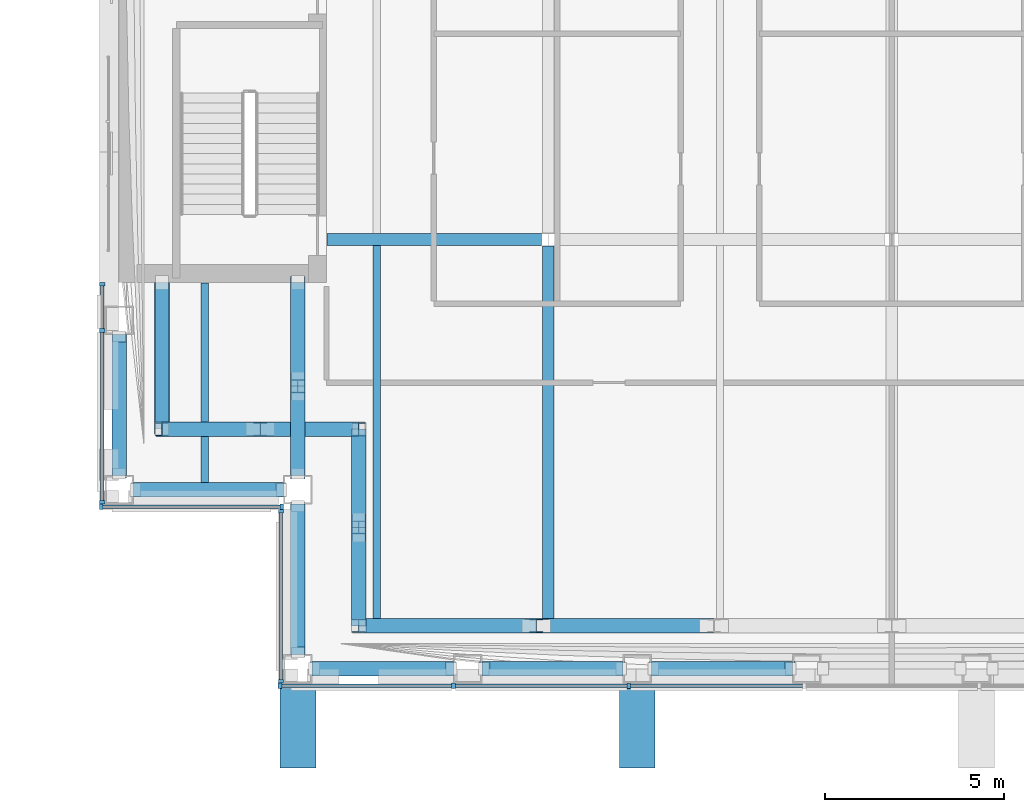
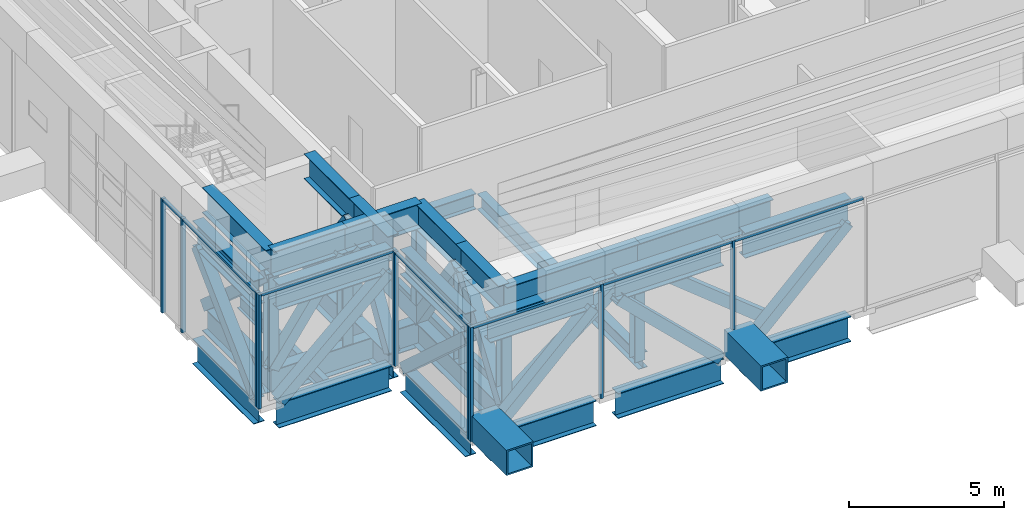
# One storey, part 3 of 29: 64 members, 7 beams, 4 elements without a shape of their own.
"""IFC4 building model written with IfcOpenShell, lengths in metres."""

from ifc_helpers import new_model, si_unit, direction, frame, origin, origin_2d, place, context, subcontext, project, spatial, rectangle, hollow_rectangle, i_section, extrude, material, material_profile, profile_set, type_object, element, aggregate, save


model = new_model("IFC4")

# Units and contexts
model_context = context("Model", 3, precision=1e-05, world=origin(), true_north=direction((0.0, 1.0)))
body_context = subcontext(model_context, "Body", "Model", "MODEL_VIEW")
ifc_project = project(units=[si_unit("LENGTHUNIT", "METRE"), si_unit("AREAUNIT", "SQUARE_METRE"), si_unit("VOLUMEUNIT", "CUBIC_METRE"), si_unit("PLANEANGLEUNIT", "RADIAN"), si_unit("MASSUNIT", "GRAM", prefix="KILO")], contexts=[model_context])

# Site, building, storey
site_placement = place(None, origin())
site = spatial("IfcSite", under=ifc_project, at=site_placement, CompositionType="ELEMENT")
building_placement = place(site_placement, origin())
building = spatial("IfcBuilding", under=site, at=building_placement, Name="Cobrizo Arcos Hotel Tower", CompositionType="ELEMENT")
storey_placement = place(building_placement, frame((0.0, 0.0, 186.5)))
storey = spatial("IfcBuildingStorey", under=building, at=storey_placement, Name="L48", CompositionType="ELEMENT", Elevation=186.5)

# Beams
ifc_material_1 = material(Name="Steel ASTM A572 Grade 50", Category="steel")
ifc_material_profile_1 = material_profile(ifc_material_1, hollow_rectangle(XDim=1.0, YDim=1.0, WallThickness=0.06005859375, at=origin_2d()), Name="BOX 1000X1000X60")
ifc_profile_set_1 = profile_set([ifc_material_profile_1], Name="Steel ASTM A572 Grade 50")
beam_type_1 = type_object("IfcBeamType", Name="BOX 1000X1000X60 brace connector strut", PredefinedType="BEAM", material=ifc_profile_set_1)
for number, where, z_axis, x_axis, name in (
    (1, (-7.1142578125, -21.989990234375, 0.5), (0.0, -1.0, 0.0), (1.0, 0.0, 0.0), "Perimeter brace stub BS1, zone Z3, south face, offset -7.11 m, L48"),
    (2, (-16.60009765625, -21.989990234375, 0.5), (0.0, -1.0, 0.0), (1.0, 0.0, 0.0), "Perimeter brace stub BS1, zone Z3, south face, offset -16.60 m, L48"),
):
    element("IfcBeam", number, at=place(storey_placement, frame(where, z_axis=z_axis, x_axis=x_axis)), inside=storey, type_object=beam_type_1, Name=name, PredefinedType="BEAM", context=body_context, shape_type="SweptSolid", body=[
        extrude(hollow_rectangle(XDim=1.0, YDim=1.0, WallThickness=0.06005859375, at=origin_2d()), origin(), (0.0, 0.0, 1.0), 2.380126953125),
    ])

# Curtain wall, members
ifc_material_2 = material(Name="Aluminium 6063-T6 anodised bronze", Category="aluminium")
curtain_wall_type = type_object("IfcCurtainWallType", Name="CW-D plant louvre wall", PredefinedType="NOTDEFINED", material=ifc_material_2)
curtain_wall_1_placement = place(storey_placement, origin())
curtain_wall_1 = element("IfcCurtainWall", 3, at=curtain_wall_1_placement, inside=storey, type_object=curtain_wall_type, Name="CW-D L48 S face", PredefinedType="NOTDEFINED")
ifc_material_profile_2 = material_profile(ifc_material_2, rectangle(XDim=0.14990234375, YDim=0.10009765625, at=origin_2d()), Name="CW-D mullion 150x100")
ifc_profile_set_2 = profile_set([ifc_material_profile_2], Name="Aluminium 6063-T6 anodised bronze")
member_type_1 = type_object("IfcMemberType", Name="CW-D mullion 150x100", PredefinedType="MULLION", material=ifc_profile_set_2)
member_1_placement = place(storey_placement, frame((-17.10009765625, -22.074951171875, 0.0), z_axis=(0.0, 0.0, 1.0), x_axis=(0.0, -1.0, 0.0)))
member_1 = element("IfcMember", 4, at=member_1_placement, type_object=member_type_1, Name="CW-D mullion 1", PredefinedType="MULLION", context=body_context, shape_type="SweptSolid", body=[
    extrude(rectangle(XDim=0.14990234375, YDim=0.10009765625, at=origin_2d()), origin(), (0.0, 0.0, 1.0), 4.5),
])
member_2_placement = place(storey_placement, frame((-12.25, -22.074951171875, 0.0), z_axis=(0.0, 0.0, 1.0), x_axis=(0.0, -1.0, 0.0)))
member_2 = element("IfcMember", 5, at=member_2_placement, type_object=member_type_1, Name="CW-D mullion 2", PredefinedType="MULLION", context=body_context, shape_type="SweptSolid", body=[
    extrude(rectangle(XDim=0.14990234375, YDim=0.10009765625, at=origin_2d()), origin(), (0.0, 0.0, 1.0), 4.5),
])
member_3_placement = place(storey_placement, frame((-7.35009765625, -22.074951171875, 0.0), z_axis=(0.0, 0.0, 1.0), x_axis=(0.0, -1.0, 0.0)))
member_3 = element("IfcMember", 6, at=member_3_placement, type_object=member_type_1, Name="CW-D mullion 3", PredefinedType="MULLION", context=body_context, shape_type="SweptSolid", body=[
    extrude(rectangle(XDim=0.14990234375, YDim=0.10009765625, at=origin_2d()), origin(), (0.0, 0.0, 1.0), 4.5),
])

curtain_wall_2_placement = place(storey_placement, origin())
curtain_wall_2 = element("IfcCurtainWall", 7, at=curtain_wall_2_placement, inside=storey, type_object=curtain_wall_type, Name="CW-D L48 W face", PredefinedType="NOTDEFINED")
member_4_placement = place(storey_placement, frame((-22.074951171875, -10.85009765625, 0.0), z_axis=(0.0, 0.0, 1.0), x_axis=(-1.0, 0.0, 0.0)))
member_4 = element("IfcMember", 8, at=member_4_placement, type_object=member_type_1, Name="CW-D mullion 1", PredefinedType="MULLION", context=body_context, shape_type="SweptSolid", body=[
    extrude(rectangle(XDim=0.14990234375, YDim=0.10009765625, at=origin_2d()), origin(), (0.0, 0.0, 1.0), 4.5),
])
member_5_placement = place(storey_placement, frame((-22.074951171875, -12.142822265625, 0.0), z_axis=(0.0, 0.0, 1.0), x_axis=(-1.0, 0.0, 0.0)))
member_5 = element("IfcMember", 9, at=member_5_placement, type_object=member_type_1, Name="CW-D mullion 2", PredefinedType="MULLION", context=body_context, shape_type="SweptSolid", body=[
    extrude(rectangle(XDim=0.14990234375, YDim=0.10009765625, at=origin_2d()), origin(), (0.0, 0.0, 1.0), 4.5),
])
member_6_placement = place(storey_placement, frame((-22.074951171875, -16.949951171875, 0.0), z_axis=(0.0, 0.0, 1.0), x_axis=(-1.0, 0.0, 0.0)))
member_6 = element("IfcMember", 10, at=member_6_placement, type_object=member_type_1, Name="CW-D mullion 3", PredefinedType="MULLION", context=body_context, shape_type="SweptSolid", body=[
    extrude(rectangle(XDim=0.14990234375, YDim=0.10009765625, at=origin_2d()), origin(), (0.0, 0.0, 1.0), 4.5),
])

curtain_wall_3_placement = place(storey_placement, origin())
curtain_wall_3 = element("IfcCurtainWall", 11, at=curtain_wall_3_placement, inside=storey, type_object=curtain_wall_type, Name="CW-D L48 S face", PredefinedType="NOTDEFINED")
member_7_placement = place(storey_placement, frame((-22.10009765625, -17.074951171875, 0.0), z_axis=(0.0, 0.0, 1.0), x_axis=(0.0, -1.0, 0.0)))
member_7 = element("IfcMember", 12, at=member_7_placement, type_object=member_type_1, Name="CW-D mullion 1", PredefinedType="MULLION", context=body_context, shape_type="SweptSolid", body=[
    extrude(rectangle(XDim=0.14990234375, YDim=0.10009765625, at=origin_2d()), origin(), (0.0, 0.0, 1.0), 4.5),
])
member_8_placement = place(storey_placement, frame((-17.050048828125, -17.074951171875, 0.0), z_axis=(0.0, 0.0, 1.0), x_axis=(0.0, -1.0, 0.0)))
member_8 = element("IfcMember", 13, at=member_8_placement, type_object=member_type_1, Name="CW-D mullion 2", PredefinedType="MULLION", context=body_context, shape_type="SweptSolid", body=[
    extrude(rectangle(XDim=0.14990234375, YDim=0.10009765625, at=origin_2d()), origin(), (0.0, 0.0, 1.0), 4.5),
])

curtain_wall_4_placement = place(storey_placement, origin())
curtain_wall_4 = element("IfcCurtainWall", 14, at=curtain_wall_4_placement, inside=storey, type_object=curtain_wall_type, Name="CW-D L48 W face", PredefinedType="NOTDEFINED")
member_9_placement = place(storey_placement, frame((-17.074951171875, -17.199951171875, 0.0), z_axis=(0.0, 0.0, 1.0), x_axis=(-1.0, 0.0, 0.0)))
member_9 = element("IfcMember", 15, at=member_9_placement, type_object=member_type_1, Name="CW-D mullion 1", PredefinedType="MULLION", context=body_context, shape_type="SweptSolid", body=[
    extrude(rectangle(XDim=0.14990234375, YDim=0.10009765625, at=origin_2d()), origin(), (0.0, 0.0, 1.0), 4.5),
])
member_10_placement = place(storey_placement, frame((-17.074951171875, -21.949951171875, 0.0), z_axis=(0.0, 0.0, 1.0), x_axis=(-1.0, 0.0, 0.0)))
member_10 = element("IfcMember", 16, at=member_10_placement, type_object=member_type_1, Name="CW-D mullion 2", PredefinedType="MULLION", context=body_context, shape_type="SweptSolid", body=[
    extrude(rectangle(XDim=0.14990234375, YDim=0.10009765625, at=origin_2d()), origin(), (0.0, 0.0, 1.0), 4.5),
])

# Member
ifc_material_profile_3 = material_profile(ifc_material_2, rectangle(XDim=0.10009765625, YDim=0.10009765625, at=origin_2d()), Name="CW-D transom 100x100")
ifc_profile_set_3 = profile_set([ifc_material_profile_3], Name="Aluminium 6063-T6 anodised bronze")
member_type_2 = type_object("IfcMemberType", Name="CW-D transom 100x100", PredefinedType="USERDEFINED", material=ifc_profile_set_3)
member_11_placement = place(storey_placement, frame((-17.050048828125, -22.074951171875, 4.449951171875), z_axis=(1.0, 0.0, 0.0), x_axis=(0.0, 1.0, 0.0)))
member_11 = element("IfcMember", 17, at=member_11_placement, type_object=member_type_2, Name="CW-D transom 1666", ObjectType="TRANSOM", PredefinedType="USERDEFINED", context=body_context, shape_type="SweptSolid", body=[
    extrude(rectangle(XDim=0.10009765625, YDim=0.10009765625, at=origin_2d()), origin(), (0.0, 0.0, 1.0), 4.75),
])

member_12_placement = place(storey_placement, frame((-12.199951171875, -22.074951171875, 4.449951171875), z_axis=(1.0, 0.0, 0.0), x_axis=(0.0, 1.0, 0.0)))
member_12 = element("IfcMember", 18, at=member_12_placement, type_object=member_type_2, Name="CW-D transom 1667", ObjectType="TRANSOM", PredefinedType="USERDEFINED", context=body_context, shape_type="SweptSolid", body=[
    extrude(rectangle(XDim=0.10009765625, YDim=0.10009765625, at=origin_2d()), origin(), (0.0, 0.0, 1.0), 4.800048828125),
])

member_13_placement = place(storey_placement, frame((-7.300048828125, -22.074951171875, 4.449951171875), z_axis=(1.0, 0.0, 0.0), x_axis=(0.0, 1.0, 0.0)))
member_13 = element("IfcMember", 19, at=member_13_placement, type_object=member_type_2, Name="CW-D transom 1668", ObjectType="TRANSOM", PredefinedType="USERDEFINED", context=body_context, shape_type="SweptSolid", body=[
    extrude(rectangle(XDim=0.10009765625, YDim=0.10009765625, at=origin_2d()), origin(), (0.0, 0.0, 1.0), 4.800048828125),
])

aggregate(curtain_wall_1, [member_1, member_2, member_3, member_11, member_12, member_13])

member_14_placement = place(storey_placement, frame((-22.074951171875, -10.89990234375, 4.449951171875), z_axis=(0.0, -1.0, 0.0), x_axis=(1.0, 0.0, 0.0)))
member_14 = element("IfcMember", 20, at=member_14_placement, type_object=member_type_2, Name="CW-D transom 1692", ObjectType="TRANSOM", PredefinedType="USERDEFINED", context=body_context, shape_type="SweptSolid", body=[
    extrude(rectangle(XDim=0.10009765625, YDim=0.10009765625, at=origin_2d()), origin(), (0.0, 0.0, 1.0), 1.19287109375),
])

member_15_placement = place(storey_placement, frame((-22.074951171875, -12.19287109375, 4.449951171875), z_axis=(0.0, -1.0, 0.0), x_axis=(1.0, 0.0, 0.0)))
member_15 = element("IfcMember", 21, at=member_15_placement, type_object=member_type_2, Name="CW-D transom 1693", ObjectType="TRANSOM", PredefinedType="USERDEFINED", context=body_context, shape_type="SweptSolid", body=[
    extrude(rectangle(XDim=0.10009765625, YDim=0.10009765625, at=origin_2d()), origin(), (0.0, 0.0, 1.0), 4.70703125),
])

aggregate(curtain_wall_2, [member_4, member_5, member_6, member_14, member_15])

member_16_placement = place(storey_placement, frame((-22.050048828125, -17.074951171875, 4.449951171875), z_axis=(1.0, 0.0, 0.0), x_axis=(0.0, 1.0, 0.0)))
member_16 = element("IfcMember", 22, at=member_16_placement, type_object=member_type_2, Name="CW-D transom 1694", ObjectType="TRANSOM", PredefinedType="USERDEFINED", context=body_context, shape_type="SweptSolid", body=[
    extrude(rectangle(XDim=0.10009765625, YDim=0.10009765625, at=origin_2d()), origin(), (0.0, 0.0, 1.0), 4.949951171875),
])

aggregate(curtain_wall_3, [member_7, member_8, member_16])

member_17_placement = place(storey_placement, frame((-17.074951171875, -17.25, 4.449951171875), z_axis=(0.0, -1.0, 0.0), x_axis=(1.0, 0.0, 0.0)))
member_17 = element("IfcMember", 23, at=member_17_placement, type_object=member_type_2, Name="CW-D transom 1695", ObjectType="TRANSOM", PredefinedType="USERDEFINED", context=body_context, shape_type="SweptSolid", body=[
    extrude(rectangle(XDim=0.10009765625, YDim=0.10009765625, at=origin_2d()), origin(), (0.0, 0.0, 1.0), 4.64990234375),
])

aggregate(curtain_wall_4, [member_9, member_10, member_17])

# Members
ifc_material_3 = material(Name="Steel ASTM A500 Grade C", Category="steel")
ifc_material_profile_4 = material_profile(ifc_material_3, hollow_rectangle(XDim=0.406494140625, YDim=0.406494140625, WallThickness=0.014892578125, at=origin_2d()), Name="HSS16X16X5/8")
ifc_profile_set_4 = profile_set([ifc_material_profile_4], Name="Steel ASTM A500 Grade C")
member_type_3 = type_object("IfcMemberType", Name="HSS16X16X5/8 truss diagonal", PredefinedType="BRACE", material=ifc_profile_set_4)
member_18_placement = place(storey_placement, frame((-16.1201171875, -21.60009765625, -0.300048828125), z_axis=(0.71876736936, 0.0, 0.695250651739), x_axis=(0.0, 1.0, 0.0)))
element("IfcMember", 24, at=member_18_placement, inside=storey, type_object=member_type_3, Name="Belt truss diagonal TD1, L48, no. 001", PredefinedType="BRACE", context=body_context, shape_type="SweptSolid", body=[
    extrude(hollow_rectangle(XDim=0.406494140625, YDim=0.406494140625, WallThickness=0.014892578125, at=origin_2d()), origin(), (0.0, 0.0, 1.0), 5.263427734375),
])
for number, where, z_axis, x_axis, name in (
    (25, (-11.376953125, -21.60009765625, 3.359375), (0.718744947416, 0.0, -0.695273831353), (0.0, 1.0, 0.0), "Belt truss diagonal TD1, L48, no. 002"),
    (26, (-6.634033203125, -21.60009765625, -0.300048828125), (0.718744947416, 0.0, 0.695273831353), (0.0, 1.0, 0.0), "Belt truss diagonal TD1, L48, no. 003"),
):
    element("IfcMember", number, at=place(storey_placement, frame(where, z_axis=z_axis, x_axis=x_axis)), inside=storey, type_object=member_type_3, Name=name, PredefinedType="BRACE", context=body_context, shape_type="SweptSolid", body=[
        extrude(hollow_rectangle(XDim=0.406494140625, YDim=0.406494140625, WallThickness=0.014892578125, at=origin_2d()), origin(), (0.0, 0.0, 1.0), 5.26318359375),
    ])
member_19_placement = place(storey_placement, frame((-21.60009765625, -12.3369140625, 3.359375), z_axis=(0.0, -0.71876736936, -0.695250651739), x_axis=(1.0, 0.0, 0.0)))
element("IfcMember", 27, at=member_19_placement, inside=storey, type_object=member_type_3, Name="Belt truss diagonal TD1, L48, no. 024", PredefinedType="BRACE", context=body_context, shape_type="SweptSolid", body=[
    extrude(hollow_rectangle(XDim=0.406494140625, YDim=0.406494140625, WallThickness=0.014892578125, at=origin_2d()), origin(), (0.0, 0.0, 1.0), 5.263427734375),
])
for number, where, z_axis, x_axis, name in (
    (28, (-21.1201171875, -16.60009765625, -0.300048828125), (0.7411568591, 0.0, 0.671331892739), (0.0, 1.0, 0.0), "Belt truss diagonal TD1, L48, no. 025"),
    (29, (-16.60009765625, -17.080078125, -0.300048828125), (0.0, -0.7411568591, 0.671331892739), (1.0, 0.0, 0.0), "Belt truss diagonal TD1, L48, no. 026"),
):
    element("IfcMember", number, at=place(storey_placement, frame(where, z_axis=z_axis, x_axis=x_axis)), inside=storey, type_object=member_type_3, Name=name, PredefinedType="BRACE", context=body_context, shape_type="SweptSolid", body=[
        extrude(hollow_rectangle(XDim=0.406494140625, YDim=0.406494140625, WallThickness=0.014892578125, at=origin_2d()), origin(), (0.0, 0.0, 1.0), 5.450927734375),
    ])
member_20_placement = place(storey_placement, frame((-14.89990234375, -20.39990234375, -0.300048828125), z_axis=(0.793217141697, 0.0, 0.608938885372), x_axis=(0.0, 1.0, 0.0)))
element("IfcMember", 30, at=member_20_placement, inside=storey, type_object=member_type_3, Name="Belt truss diagonal TD1, L48, no. 027", PredefinedType="BRACE", context=body_context, shape_type="SweptSolid", body=[
    extrude(hollow_rectangle(XDim=0.406494140625, YDim=0.406494140625, WallThickness=0.014892578125, at=origin_2d()), origin(), (0.0, 0.0, 1.0), 6.009521484375),
])
member_21_placement = place(storey_placement, frame((-9.73291015625, -20.39990234375, 3.359375), z_axis=(0.780310829579, 0.0, -0.625391884534), x_axis=(0.0, 1.0, 0.0)))
element("IfcMember", 31, at=member_21_placement, inside=storey, type_object=member_type_3, Name="Belt truss diagonal TD1, L48, no. 028", PredefinedType="BRACE", context=body_context, shape_type="SweptSolid", body=[
    extrude(hollow_rectangle(XDim=0.406494140625, YDim=0.406494140625, WallThickness=0.014892578125, at=origin_2d()), origin(), (0.0, 0.0, 1.0), 5.851318359375),
])
member_22_placement = place(storey_placement, frame((-20.39990234375, -10.801025390625, -0.300048828125), z_axis=(0.0, -0.745963676774, 0.665986631197), x_axis=(1.0, 0.0, 0.0)))
element("IfcMember", 32, at=member_22_placement, inside=storey, type_object=member_type_3, Name="Belt truss diagonal TD1, L48, no. 054", PredefinedType="BRACE", context=body_context, shape_type="SweptSolid", body=[
    extrude(hollow_rectangle(XDim=0.406494140625, YDim=0.406494140625, WallThickness=0.014892578125, at=origin_2d()), origin(), (0.0, 0.0, 1.0), 5.49462890625),
])
for number, where, z_axis, x_axis, name in (
    (33, (-20.39990234375, -14.89990234375, -0.300048828125), (0.571686597263, 0.0, 0.820472080274), (0.0, 1.0, 0.0), "Belt truss diagonal TD1, L48, no. 055"),
    (34, (-17.449951171875, -14.89990234375, 3.359375), (0.571723443945, 0.0, -0.820446405102), (0.0, 1.0, 0.0), "Belt truss diagonal TD1, L48, no. 056"),
    (35, (-14.89990234375, -14.89990234375, -0.300048828125), (0.0, -0.571723443945, 0.820446405102), (1.0, 0.0, 0.0), "Belt truss diagonal TD1, L48, no. 057"),
    (36, (-14.89990234375, -17.85009765625, 3.359375), (0.0, -0.571686597263, -0.820472080274), (1.0, 0.0, 0.0), "Belt truss diagonal TD1, L48, no. 058"),
):
    element("IfcMember", number, at=place(storey_placement, frame(where, z_axis=z_axis, x_axis=x_axis)), inside=storey, type_object=member_type_3, Name=name, PredefinedType="BRACE", context=body_context, shape_type="SweptSolid", body=[
        extrude(hollow_rectangle(XDim=0.406494140625, YDim=0.406494140625, WallThickness=0.014892578125, at=origin_2d()), origin(), (0.0, 0.0, 1.0), 4.460205078125),
    ])
member_23_placement = place(storey_placement, frame((-16.60009765625, -10.800048828125, -0.300048828125), z_axis=(0.0, -0.593702520148, 0.804684607514), x_axis=(1.0, 0.0, 0.0)))
element("IfcMember", 37, at=member_23_placement, inside=storey, type_object=member_type_3, Name="Outrigger diagonal TD1, L48, no. 007", PredefinedType="BRACE", context=body_context, shape_type="SweptSolid", body=[
    extrude(hollow_rectangle(XDim=0.406494140625, YDim=0.406494140625, WallThickness=0.014892578125, at=origin_2d()), origin(), (0.0, 0.0, 1.0), 4.547607421875),
])
member_24_placement = place(storey_placement, frame((-16.60009765625, -13.89990234375, 3.359375), z_axis=(0.0, -0.518708703579, -0.85495104002), x_axis=(1.0, 0.0, 0.0)))
element("IfcMember", 38, at=member_24_placement, inside=storey, type_object=member_type_3, Name="Outrigger diagonal TD1, L48, no. 008", PredefinedType="BRACE", context=body_context, shape_type="SweptSolid", body=[
    extrude(hollow_rectangle(XDim=0.406494140625, YDim=0.406494140625, WallThickness=0.014892578125, at=origin_2d()), origin(), (0.0, 0.0, 1.0), 4.2802734375),
])
ifc_material_4 = material(Name="Steel ASTM A992 Grade 50", Category="steel")
ifc_material_profile_5 = material_profile(ifc_material_4, i_section(OverallWidth=0.373291015625, OverallDepth=0.373291015625, WebThickness=0.016357421875, FlangeThickness=0.026123046875, at=origin_2d()), Name="W14X132")
ifc_profile_set_5 = profile_set([ifc_material_profile_5], Name="Steel ASTM A992 Grade 50")
member_type_4 = type_object("IfcMemberType", Name="W14X132 truss post", PredefinedType="POST", material=ifc_profile_set_5)
for number, where, z_axis, x_axis, name in (
    (39, (-14.89990234375, -20.39990234375, -0.300048828125), (0.0, 0.0, 1.0), (1.0, 0.0, 0.0), "Truss post TP1, L48, no. 001"),
    (40, (-9.93310546875, -20.39990234375, -0.300048828125), (0.0, 0.0, 1.0), (1.0, 0.0, 0.0), "Truss post TP1, L48, no. 002"),
    (41, (-20.39990234375, -14.89990234375, -0.300048828125), (0.0, 0.0, 1.0), (1.0, 0.0, 0.0), "Truss post TP1, L48, no. 027"),
    (42, (-17.64990234375, -14.89990234375, -0.300048828125), (0.0, 0.0, 1.0), (1.0, 0.0, 0.0), "Truss post TP1, L48, no. 028"),
    (43, (-14.89990234375, -14.89990234375, -0.300048828125), (0.0, 0.0, 1.0), (1.0, 0.0, 0.0), "Truss post TP1, L48, no. 029"),
    (44, (-14.89990234375, -17.64990234375, -0.300048828125), (0.0, 0.0, 1.0), (1.0, 0.0, 0.0), "Truss post TP1, L48, no. 030"),
    (45, (-16.60009765625, -13.699951171875, -0.300048828125), (0.0, 0.0, 1.0), (1.0, 0.0, 0.0), "Truss post TP1, L48, no. 033"),
):
    element("IfcMember", number, at=place(storey_placement, frame(where, z_axis=z_axis, x_axis=x_axis)), inside=storey, type_object=member_type_4, Name=name, PredefinedType="POST", context=body_context, shape_type="SweptSolid", body=[
        extrude(i_section(OverallWidth=0.373291015625, OverallDepth=0.373291015625, WebThickness=0.016357421875, FlangeThickness=0.026123046875, at=origin_2d()), origin(), (0.0, 0.0, 1.0), 3.659423828125),
    ])

# Beams
ifc_material_profile_6 = material_profile(ifc_material_4, i_section(OverallWidth=0.209228515625, OverallDepth=0.533447265625, WebThickness=0.01025390625, FlangeThickness=0.015625, at=origin_2d()), Name="W21X62")
ifc_profile_set_6 = profile_set([ifc_material_profile_6], Name="Steel ASTM A992 Grade 50")
beam_type_2 = type_object("IfcBeamType", Name="W21X62 joist", PredefinedType="JOIST", material=ifc_profile_set_6)
beam_1_placement = place(storey_placement, frame((-19.199951171875, -16.3994140625, -0.566650390625), z_axis=(0.0, 1.0, 0.0), x_axis=(-1.0, 0.0, 0.0)))
element("IfcBeam", 46, at=beam_1_placement, inside=storey, type_object=beam_type_2, Name="Floor joist J1, L48, no. 001", PredefinedType="JOIST", context=body_context, shape_type="SweptSolid", body=[
    extrude(i_section(OverallWidth=0.209228515625, OverallDepth=0.533447265625, WebThickness=0.01025390625, FlangeThickness=0.015625, at=origin_2d()), origin(), (0.0, 0.0, 1.0), 1.298828125),
])
beam_2_placement = place(storey_placement, frame((-19.199951171875, -14.699462890625, -0.566650390625), z_axis=(0.0, 1.0, 0.0), x_axis=(-1.0, 0.0, 0.0)))
element("IfcBeam", 47, at=beam_2_placement, inside=storey, type_object=beam_type_2, Name="Floor joist J1, L48, no. 002", PredefinedType="JOIST", context=body_context, shape_type="SweptSolid", body=[
    extrude(i_section(OverallWidth=0.209228515625, OverallDepth=0.533447265625, WebThickness=0.01025390625, FlangeThickness=0.015625, at=origin_2d()), origin(), (0.0, 0.0, 1.0), 3.889404296875),
])
beam_3_placement = place(storey_placement, frame((-14.39990234375, -20.199462890625, -0.566650390625), z_axis=(0.0, 1.0, 0.0), x_axis=(-1.0, 0.0, 0.0)))
element("IfcBeam", 48, at=beam_3_placement, inside=storey, type_object=beam_type_2, Name="Floor joist J1, L48, no. 005", PredefinedType="JOIST", context=body_context, shape_type="SweptSolid", body=[
    extrude(i_section(OverallWidth=0.209228515625, OverallDepth=0.533447265625, WebThickness=0.01025390625, FlangeThickness=0.015625, at=origin_2d()), origin(), (0.0, 0.0, 1.0), 10.435546875),
])
ifc_material_profile_7 = material_profile(ifc_material_4, i_section(OverallWidth=0.32763671875, OverallDepth=0.622314453125, WebThickness=0.015380859375, FlangeThickness=0.0244140625, at=origin_2d()), Name="W24X131")
ifc_profile_set_7 = profile_set([ifc_material_profile_7], Name="Steel ASTM A992 Grade 50")
beam_type_3 = type_object("IfcBeamType", Name="W24X131 girder", PredefinedType="BEAM", material=ifc_profile_set_7)
beam_4_placement = place(storey_placement, frame((-15.7900390625, -9.60009765625, -0.611083984375), z_axis=(1.0, 0.0, 0.0), x_axis=(0.0, 1.0, 0.0)))
element("IfcBeam", 49, at=beam_4_placement, inside=storey, type_object=beam_type_3, Name="Floor girder G1, L48, no. 001", PredefinedType="BEAM", context=body_context, shape_type="SweptSolid", body=[
    extrude(i_section(OverallWidth=0.32763671875, OverallDepth=0.622314453125, WebThickness=0.015380859375, FlangeThickness=0.0244140625, at=origin_2d()), origin(), (0.0, 0.0, 1.0), 6.00341796875),
])
beam_5_placement = place(storey_placement, frame((-9.60009765625, -20.199462890625, -0.611083984375), z_axis=(0.0, 1.0, 0.0), x_axis=(-1.0, 0.0, 0.0)))
element("IfcBeam", 50, at=beam_5_placement, inside=storey, type_object=beam_type_3, Name="Floor girder G1, L48, no. 013", PredefinedType="BEAM", context=body_context, shape_type="SweptSolid", body=[
    extrude(i_section(OverallWidth=0.32763671875, OverallDepth=0.622314453125, WebThickness=0.015380859375, FlangeThickness=0.0244140625, at=origin_2d()), origin(), (0.0, 0.0, 1.0), 10.412841796875),
])

# Members
ifc_material_profile_8 = material_profile(ifc_material_4, i_section(OverallWidth=0.4013671875, OverallDepth=0.990478515625, WebThickness=0.0166015625, FlangeThickness=0.025390625, at=origin_2d()), Name="W40X215")
ifc_profile_set_8 = profile_set([ifc_material_profile_8], Name="Steel ASTM A992 Grade 50")
member_type_5 = type_object("IfcMemberType", Name="W40X215 belt truss chord", PredefinedType="CHORD", material=ifc_profile_set_8)
member_25_placement = place(storey_placement, frame((-16.199951171875, -21.60009765625, -0.79541015625), z_axis=(1.0, 0.0, 0.0), x_axis=(0.0, 1.0, 0.0)))
element("IfcMember", 51, at=member_25_placement, inside=storey, type_object=member_type_5, Name="Belt truss bottom chord TC1, L48, no. 001", PredefinedType="CHORD", context=body_context, shape_type="SweptSolid", body=[
    extrude(i_section(OverallWidth=0.4013671875, OverallDepth=0.990478515625, WebThickness=0.0166015625, FlangeThickness=0.025390625, at=origin_2d()), origin(), (0.0, 0.0, 1.0), 3.94287109375),
])
for number, where, z_axis, x_axis, name in (
    (52, (-11.45703125, -21.60009765625, -0.79541015625), (1.0, 0.0, 0.0), (0.0, 1.0, 0.0), "Belt truss bottom chord TC1, L48, no. 002"),
    (53, (-6.714111328125, -21.60009765625, -0.79541015625), (1.0, 0.0, 0.0), (0.0, 1.0, 0.0), "Belt truss bottom chord TC1, L48, no. 003"),
):
    element("IfcMember", number, at=place(storey_placement, frame(where, z_axis=z_axis, x_axis=x_axis)), inside=storey, type_object=member_type_5, Name=name, PredefinedType="CHORD", context=body_context, shape_type="SweptSolid", body=[
        extrude(i_section(OverallWidth=0.4013671875, OverallDepth=0.990478515625, WebThickness=0.0166015625, FlangeThickness=0.025390625, at=origin_2d()), origin(), (0.0, 0.0, 1.0), 3.943115234375),
    ])
member_26_placement = place(storey_placement, frame((-16.199951171875, -21.60009765625, 3.854736328125), z_axis=(1.0, 0.0, 0.0), x_axis=(0.0, 1.0, 0.0)))
element("IfcMember", 54, at=member_26_placement, inside=storey, type_object=member_type_5, Name="Belt truss top chord TC1, L48, no. 001", PredefinedType="CHORD", context=body_context, shape_type="SweptSolid", body=[
    extrude(i_section(OverallWidth=0.4013671875, OverallDepth=0.990478515625, WebThickness=0.0166015625, FlangeThickness=0.025390625, at=origin_2d()), origin(), (0.0, 0.0, 1.0), 3.94287109375),
])
for number, where, z_axis, x_axis, name in (
    (55, (-11.45703125, -21.60009765625, 3.854736328125), (1.0, 0.0, 0.0), (0.0, 1.0, 0.0), "Belt truss top chord TC1, L48, no. 002"),
    (56, (-6.714111328125, -21.60009765625, 3.854736328125), (1.0, 0.0, 0.0), (0.0, 1.0, 0.0), "Belt truss top chord TC1, L48, no. 003"),
):
    element("IfcMember", number, at=place(storey_placement, frame(where, z_axis=z_axis, x_axis=x_axis)), inside=storey, type_object=member_type_5, Name=name, PredefinedType="CHORD", context=body_context, shape_type="SweptSolid", body=[
        extrude(i_section(OverallWidth=0.4013671875, OverallDepth=0.990478515625, WebThickness=0.0166015625, FlangeThickness=0.025390625, at=origin_2d()), origin(), (0.0, 0.0, 1.0), 3.943115234375),
    ])
for number, where, z_axis, x_axis, name in (
    (57, (-21.60009765625, -12.257080078125, -0.79541015625), (0.0, -1.0, 0.0), (1.0, 0.0, 0.0), "Belt truss bottom chord TC1, L48, no. 024"),
    (58, (-21.60009765625, -12.257080078125, 3.854736328125), (0.0, -1.0, 0.0), (1.0, 0.0, 0.0), "Belt truss top chord TC1, L48, no. 024"),
):
    element("IfcMember", number, at=place(storey_placement, frame(where, z_axis=z_axis, x_axis=x_axis)), inside=storey, type_object=member_type_5, Name=name, PredefinedType="CHORD", context=body_context, shape_type="SweptSolid", body=[
        extrude(i_section(OverallWidth=0.4013671875, OverallDepth=0.990478515625, WebThickness=0.0166015625, FlangeThickness=0.025390625, at=origin_2d()), origin(), (0.0, 0.0, 1.0), 3.94287109375),
    ])
for number, where, z_axis, x_axis, name in (
    (59, (-21.199951171875, -16.60009765625, -0.79541015625), (1.0, 0.0, 0.0), (0.0, 1.0, 0.0), "Belt truss bottom chord TC1, L48, no. 025"),
    (60, (-21.199951171875, -16.60009765625, 3.854736328125), (1.0, 0.0, 0.0), (0.0, 1.0, 0.0), "Belt truss top chord TC1, L48, no. 025"),
    (61, (-16.60009765625, -17.0, -0.79541015625), (0.0, -1.0, 0.0), (1.0, 0.0, 0.0), "Belt truss bottom chord TC1, L48, no. 026"),
    (62, (-16.60009765625, -17.0, 3.854736328125), (0.0, -1.0, 0.0), (1.0, 0.0, 0.0), "Belt truss top chord TC1, L48, no. 026"),
):
    element("IfcMember", number, at=place(storey_placement, frame(where, z_axis=z_axis, x_axis=x_axis)), inside=storey, type_object=member_type_5, Name=name, PredefinedType="CHORD", context=body_context, shape_type="SweptSolid", body=[
        extrude(i_section(OverallWidth=0.4013671875, OverallDepth=0.990478515625, WebThickness=0.0166015625, FlangeThickness=0.025390625, at=origin_2d()), origin(), (0.0, 0.0, 1.0), 4.199951171875),
    ])
member_27_placement = place(storey_placement, frame((-14.89990234375, -20.39990234375, 3.854736328125), z_axis=(1.0, 0.0, 0.0), x_axis=(0.0, 1.0, 0.0)))
element("IfcMember", 63, at=member_27_placement, inside=storey, type_object=member_type_5, Name="Belt truss top chord TC1, L48, no. 027", PredefinedType="CHORD", context=body_context, shape_type="SweptSolid", body=[
    extrude(i_section(OverallWidth=0.4013671875, OverallDepth=0.990478515625, WebThickness=0.0166015625, FlangeThickness=0.025390625, at=origin_2d()), origin(), (0.0, 0.0, 1.0), 4.966796875),
])
member_28_placement = place(storey_placement, frame((-9.93310546875, -20.39990234375, 3.854736328125), z_axis=(1.0, 0.0, 0.0), x_axis=(0.0, 1.0, 0.0)))
element("IfcMember", 64, at=member_28_placement, inside=storey, type_object=member_type_5, Name="Belt truss top chord TC1, L48, no. 028", PredefinedType="CHORD", context=body_context, shape_type="SweptSolid", body=[
    extrude(i_section(OverallWidth=0.4013671875, OverallDepth=0.990478515625, WebThickness=0.0166015625, FlangeThickness=0.025390625, at=origin_2d()), origin(), (0.0, 0.0, 1.0), 4.966064453125),
])
for number, where, z_axis, x_axis, name in (
    (65, (-20.39990234375, -10.801025390625, -0.79541015625), (0.0, -1.0, 0.0), (1.0, 0.0, 0.0), "Belt truss bottom chord TC1, L48, no. 038"),
    (66, (-20.39990234375, -10.801025390625, 3.854736328125), (0.0, -1.0, 0.0), (1.0, 0.0, 0.0), "Belt truss top chord TC1, L48, no. 054"),
):
    element("IfcMember", number, at=place(storey_placement, frame(where, z_axis=z_axis, x_axis=x_axis)), inside=storey, type_object=member_type_5, Name=name, PredefinedType="CHORD", context=body_context, shape_type="SweptSolid", body=[
        extrude(i_section(OverallWidth=0.4013671875, OverallDepth=0.990478515625, WebThickness=0.0166015625, FlangeThickness=0.025390625, at=origin_2d()), origin(), (0.0, 0.0, 1.0), 4.098876953125),
    ])
member_29_placement = place(storey_placement, frame((-20.39990234375, -14.89990234375, -0.79541015625), z_axis=(1.0, 0.0, 0.0), x_axis=(0.0, 1.0, 0.0)))
element("IfcMember", 67, at=member_29_placement, inside=storey, type_object=member_type_5, Name="Belt truss bottom chord TC1, L48, no. 039", PredefinedType="CHORD", context=body_context, shape_type="SweptSolid", body=[
    extrude(i_section(OverallWidth=0.4013671875, OverallDepth=0.990478515625, WebThickness=0.0166015625, FlangeThickness=0.025390625, at=origin_2d()), origin(), (0.0, 0.0, 1.0), 5.5),
])
for number, where, z_axis, x_axis, name in (
    (68, (-20.39990234375, -14.89990234375, 3.854736328125), (1.0, 0.0, 0.0), (0.0, 1.0, 0.0), "Belt truss top chord TC1, L48, no. 055"),
    (69, (-17.64990234375, -14.89990234375, 3.854736328125), (1.0, 0.0, 0.0), (0.0, 1.0, 0.0), "Belt truss top chord TC1, L48, no. 056"),
):
    element("IfcMember", number, at=place(storey_placement, frame(where, z_axis=z_axis, x_axis=x_axis)), inside=storey, type_object=member_type_5, Name=name, PredefinedType="CHORD", context=body_context, shape_type="SweptSolid", body=[
        extrude(i_section(OverallWidth=0.4013671875, OverallDepth=0.990478515625, WebThickness=0.0166015625, FlangeThickness=0.025390625, at=origin_2d()), origin(), (0.0, 0.0, 1.0), 2.75),
    ])
member_30_placement = place(storey_placement, frame((-14.89990234375, -14.89990234375, -0.79541015625), z_axis=(0.0, -1.0, 0.0), x_axis=(1.0, 0.0, 0.0)))
element("IfcMember", 70, at=member_30_placement, inside=storey, type_object=member_type_5, Name="Belt truss bottom chord TC1, L48, no. 040", PredefinedType="CHORD", context=body_context, shape_type="SweptSolid", body=[
    extrude(i_section(OverallWidth=0.4013671875, OverallDepth=0.990478515625, WebThickness=0.0166015625, FlangeThickness=0.025390625, at=origin_2d()), origin(), (0.0, 0.0, 1.0), 5.5),
])
for number, where, z_axis, x_axis, name in (
    (71, (-14.89990234375, -14.89990234375, 3.854736328125), (0.0, -1.0, 0.0), (1.0, 0.0, 0.0), "Belt truss top chord TC1, L48, no. 057"),
    (72, (-14.89990234375, -17.64990234375, 3.854736328125), (0.0, -1.0, 0.0), (1.0, 0.0, 0.0), "Belt truss top chord TC1, L48, no. 058"),
):
    element("IfcMember", number, at=place(storey_placement, frame(where, z_axis=z_axis, x_axis=x_axis)), inside=storey, type_object=member_type_5, Name=name, PredefinedType="CHORD", context=body_context, shape_type="SweptSolid", body=[
        extrude(i_section(OverallWidth=0.4013671875, OverallDepth=0.990478515625, WebThickness=0.0166015625, FlangeThickness=0.025390625, at=origin_2d()), origin(), (0.0, 0.0, 1.0), 2.75),
    ])
member_31_placement = place(storey_placement, frame((-16.60009765625, -10.800048828125, -0.79541015625), z_axis=(0.0, -1.0, 0.0), x_axis=(1.0, 0.0, 0.0)))
element("IfcMember", 73, at=member_31_placement, inside=storey, type_object=member_type_5, Name="Outrigger bottom chord TC1, L48, no. 005", PredefinedType="CHORD", context=body_context, shape_type="SweptSolid", body=[
    extrude(i_section(OverallWidth=0.4013671875, OverallDepth=0.990478515625, WebThickness=0.0166015625, FlangeThickness=0.025390625, at=origin_2d()), origin(), (0.0, 0.0, 1.0), 5.39990234375),
])
member_32_placement = place(storey_placement, frame((-16.60009765625, -10.800048828125, 3.854736328125), z_axis=(0.0, -1.0, 0.0), x_axis=(1.0, 0.0, 0.0)))
element("IfcMember", 74, at=member_32_placement, inside=storey, type_object=member_type_5, Name="Outrigger top chord TC1, L48, no. 007", PredefinedType="CHORD", context=body_context, shape_type="SweptSolid", body=[
    extrude(i_section(OverallWidth=0.4013671875, OverallDepth=0.990478515625, WebThickness=0.0166015625, FlangeThickness=0.025390625, at=origin_2d()), origin(), (0.0, 0.0, 1.0), 2.89990234375),
])
member_33_placement = place(storey_placement, frame((-16.60009765625, -13.699951171875, 3.854736328125), z_axis=(0.0, -1.0, 0.0), x_axis=(1.0, 0.0, 0.0)))
element("IfcMember", 75, at=member_33_placement, inside=storey, type_object=member_type_5, Name="Outrigger top chord TC1, L48, no. 008", PredefinedType="CHORD", context=body_context, shape_type="SweptSolid", body=[
    extrude(i_section(OverallWidth=0.4013671875, OverallDepth=0.990478515625, WebThickness=0.0166015625, FlangeThickness=0.025390625, at=origin_2d()), origin(), (0.0, 0.0, 1.0), 2.5),
])

save(model, "model.ifc")
